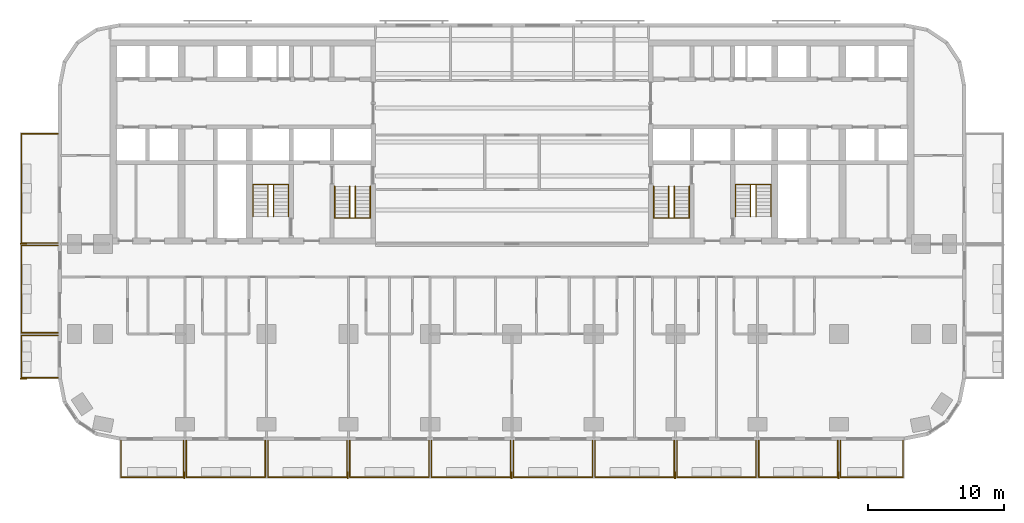
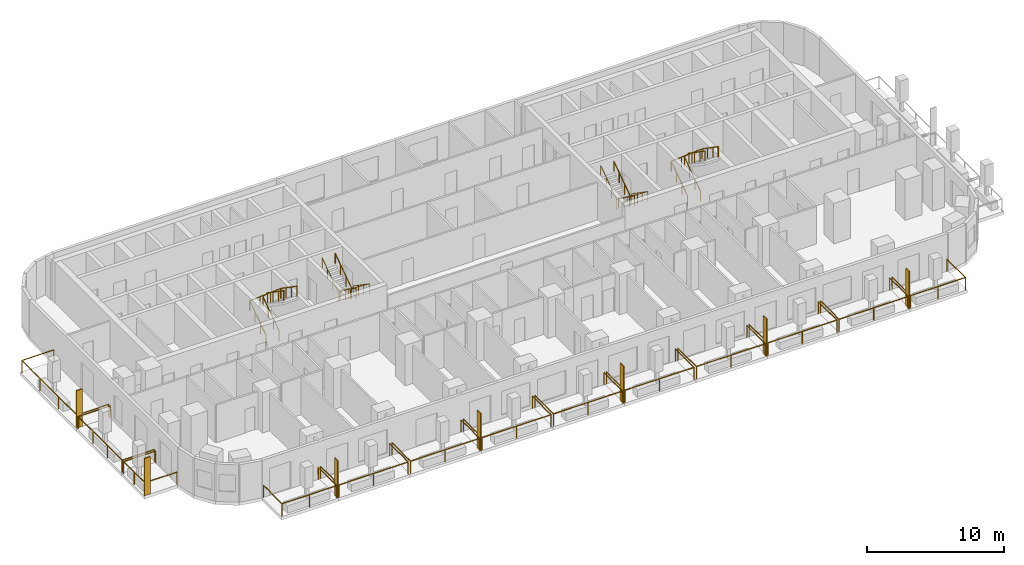
# One storey, part 11 of 13: 21 railings, 7 shading devices.
"""IFC4 building model written with IfcOpenShell, lengths in metres."""

from ifc_helpers import new_model, si_unit, direction, frame, origin, origin_2d, place, context, subcontext, project, spatial, rectangle, circle, extrude, material, layer, layer_set, type_object, element, save


model = new_model("IFC4")

# Units and contexts
model_context = context("Model", 3, precision=1e-05, world=origin(), true_north=direction((0.0, 1.0)))
body_context = subcontext(model_context, "Body", "Model", "MODEL_VIEW")
ifc_project = project(units=[si_unit("LENGTHUNIT", "METRE"), si_unit("AREAUNIT", "SQUARE_METRE"), si_unit("VOLUMEUNIT", "CUBIC_METRE"), si_unit("PLANEANGLEUNIT", "RADIAN"), si_unit("MASSUNIT", "GRAM", prefix="KILO")], contexts=[model_context])

# Site, building, storey
site_placement = place(None, origin())
site = spatial("IfcSite", under=ifc_project, at=site_placement, CompositionType="ELEMENT")
building_placement = place(site_placement, origin())
building = spatial("IfcBuilding", under=site, at=building_placement, Name="Torana Hotel and Residences", CompositionType="ELEMENT")
storey_placement = place(building_placement, frame((0.0, 0.0, 81.60009765625)))
storey = spatial("IfcBuildingStorey", under=building, at=storey_placement, Name="L20", CompositionType="ELEMENT", Elevation=81.60009765625)

# Shading devices
ifc_material_1 = material(Name="Black powder coated aluminium", Category="aluminium")
ifc_layer = layer(ifc_material_1, 0.080078125)
ifc_layer_set = layer_set([ifc_layer], Name="FN1 VERTICAL FIN 500x80")
shading_device_type = type_object("IfcShadingDeviceType", Name="FN1 VERTICAL FIN 500x80", PredefinedType="USERDEFINED", material=ifc_layer_set)
for number, where, z_axis, x_axis, name in (
    (1, (-24.0400390625, -31.949951171875, 0.0), (0.0, 0.0, 1.0), (-1.0, 0.0, 0.0), "Fin 01"),
    (2, (-12.0400390625, -31.949951171875, 0.0), (0.0, 0.0, 1.0), (-1.0, 0.0, 0.0), "Fin 03"),
    (3, (-0.0400390625, -31.949951171875, 0.0), (0.0, 0.0, 1.0), (-1.0, 0.0, 0.0), "Fin 05"),
    (4, (11.9599609375, -31.949951171875, 0.0), (0.0, 0.0, 1.0), (-1.0, 0.0, 0.0), "Fin 07"),
    (5, (23.9599609375, -31.949951171875, 0.0), (0.0, 0.0, 1.0), (-1.0, 0.0, 0.0), "Fin 09"),
    (6, (-35.85009765625, -24.860107421875, 0.0), (0.0, 0.0, 1.0), (0.0, 1.0, 0.0), "Fin 11"),
    (7, (-35.85009765625, -14.9599609375, 0.0), (0.0, 0.0, 1.0), (0.0, 1.0, 0.0), "Fin 13"),
):
    element("IfcShadingDevice", number, at=place(storey_placement, frame(where, z_axis=z_axis, x_axis=x_axis)), inside=storey, type_object=shading_device_type, Name=name, ObjectType="FIN", PredefinedType="USERDEFINED", context=body_context, shape_type="SweptSolid", body=[
        extrude(rectangle(XDim=0.080078125, YDim=0.5, at=origin_2d()), origin(), (0.0, 0.0, 1.0), 3.320068359375),
    ])

# Railings
ifc_material_2 = material(Name="Laminated glass balustrade with black handrail", Category="glass")
railing_type_1 = type_object("IfcRailingType", Name="GR1 BALCONY GUARD 1100 GLASS", PredefinedType="GUARDRAIL", material=ifc_material_2)
railing_1_placement = place(storey_placement, frame((-24.10009765625, -29.39990234375, 0.0)))
element("IfcRailing", 8, at=railing_1_placement, inside=storey, type_object=railing_type_1, Name="Balcony guard 01", PredefinedType="GUARDRAIL", context=body_context, shape_type="SweptSolid", body=[
    extrude(circle(Radius=0.02392578125, at=origin_2d()), frame((0.0, 0.0, 1.076171875), z_axis=(0.0, -1.0, 0.0), x_axis=(1.0, 0.0, 0.0)), (0.0, 0.0, 1.0), 2.7001953125),
    extrude(circle(Radius=0.02392578125, at=origin_2d()), frame((0.0, -2.7001953125, 1.076171875), z_axis=(-1.0, 0.0, 0.0), x_axis=(0.0, -1.0, 0.0)), (0.0, 0.0, 1.0), 4.599853515625),
    extrude(circle(Radius=0.02392578125, at=origin_2d()), frame((-4.599853515625, -2.7001953125, 1.076171875), z_axis=(0.0, 1.0, 0.0), x_axis=(-1.0, 0.0, 0.0)), (0.0, 0.0, 1.0), 2.7001953125),
    extrude(circle(Radius=0.02099609375, at=origin_2d()), origin(), (0.0, 0.0, 1.0), 1.052001953125),
    extrude(circle(Radius=0.02099609375, at=origin_2d()), frame((0.0, -2.7001953125, 0.0)), (0.0, 0.0, 1.0), 1.052001953125),
    extrude(circle(Radius=0.02099609375, at=origin_2d()), frame((-2.2998046875, -2.7001953125, 0.0)), (0.0, 0.0, 1.0), 1.052001953125),
    extrude(circle(Radius=0.02099609375, at=origin_2d()), frame((-4.599853515625, -2.7001953125, 0.0)), (0.0, 0.0, 1.0), 1.052001953125),
    extrude(circle(Radius=0.02099609375, at=origin_2d()), frame((-4.599853515625, 0.0, 0.0)), (0.0, 0.0, 1.0), 1.052001953125),
])
for number, where, name in (
    (9, (-18.10009765625, -29.39990234375, 0.0), "Balcony guard 02"),
    (10, (-12.10009765625, -29.39990234375, 0.0), "Balcony guard 03"),
    (11, (-6.10009765625, -29.39990234375, 0.0), "Balcony guard 04"),
    (12, (-0.10009765625, -29.39990234375, 0.0), "Balcony guard 05"),
    (13, (5.89990234375, -29.39990234375, 0.0), "Balcony guard 06"),
    (14, (11.89990234375, -29.39990234375, 0.0), "Balcony guard 07"),
    (15, (17.89990234375, -29.39990234375, 0.0), "Balcony guard 08"),
    (16, (23.89990234375, -29.39990234375, 0.0), "Balcony guard 09"),
):
    element("IfcRailing", number, at=place(storey_placement, frame(where)), inside=storey, type_object=railing_type_1, Name=name, PredefinedType="GUARDRAIL", context=body_context, shape_type="SweptSolid", body=[
        extrude(circle(Radius=0.02392578125, at=origin_2d()), frame((0.0, 0.0, 1.076171875), z_axis=(0.0, -1.0, 0.0), x_axis=(1.0, 0.0, 0.0)), (0.0, 0.0, 1.0), 2.7001953125),
        extrude(circle(Radius=0.02392578125, at=origin_2d()), frame((0.0, -2.7001953125, 1.076171875), z_axis=(-1.0, 0.0, 0.0), x_axis=(0.0, -1.0, 0.0)), (0.0, 0.0, 1.0), 5.7998046875),
        extrude(circle(Radius=0.02392578125, at=origin_2d()), frame((-5.7998046875, -2.7001953125, 1.076171875), z_axis=(0.0, 1.0, 0.0), x_axis=(-1.0, 0.0, 0.0)), (0.0, 0.0, 1.0), 2.7001953125),
        extrude(circle(Radius=0.02099609375, at=origin_2d()), origin(), (0.0, 0.0, 1.0), 1.052001953125),
        extrude(circle(Radius=0.02099609375, at=origin_2d()), frame((0.0, -2.7001953125, 0.0)), (0.0, 0.0, 1.0), 1.052001953125),
        extrude(circle(Radius=0.02099609375, at=origin_2d()), frame((-2.89990234375, -2.7001953125, 0.0)), (0.0, 0.0, 1.0), 1.052001953125),
        extrude(circle(Radius=0.02099609375, at=origin_2d()), frame((-5.7998046875, -2.7001953125, 0.0)), (0.0, 0.0, 1.0), 1.052001953125),
        extrude(circle(Radius=0.02099609375, at=origin_2d()), frame((-5.7998046875, 0.0, 0.0)), (0.0, 0.0, 1.0), 1.052001953125),
    ])
railing_2_placement = place(storey_placement, frame((28.699951171875, -29.39990234375, 0.0)))
element("IfcRailing", 17, at=railing_2_placement, inside=storey, type_object=railing_type_1, Name="Balcony guard 10", PredefinedType="GUARDRAIL", context=body_context, shape_type="SweptSolid", body=[
    extrude(circle(Radius=0.02392578125, at=origin_2d()), frame((0.0, 0.0, 1.076171875), z_axis=(0.0, -1.0, 0.0), x_axis=(1.0, 0.0, 0.0)), (0.0, 0.0, 1.0), 2.7001953125),
    extrude(circle(Radius=0.02392578125, at=origin_2d()), frame((0.0, -2.7001953125, 1.076171875), z_axis=(-1.0, 0.0, 0.0), x_axis=(0.0, -1.0, 0.0)), (0.0, 0.0, 1.0), 4.599853515625),
    extrude(circle(Radius=0.02392578125, at=origin_2d()), frame((-4.599853515625, -2.7001953125, 1.076171875), z_axis=(0.0, 1.0, 0.0), x_axis=(-1.0, 0.0, 0.0)), (0.0, 0.0, 1.0), 2.7001953125),
    extrude(circle(Radius=0.02099609375, at=origin_2d()), origin(), (0.0, 0.0, 1.0), 1.052001953125),
    extrude(circle(Radius=0.02099609375, at=origin_2d()), frame((0.0, -2.7001953125, 0.0)), (0.0, 0.0, 1.0), 1.052001953125),
    extrude(circle(Radius=0.02099609375, at=origin_2d()), frame((-2.2998046875, -2.7001953125, 0.0)), (0.0, 0.0, 1.0), 1.052001953125),
    extrude(circle(Radius=0.02099609375, at=origin_2d()), frame((-4.599853515625, -2.7001953125, 0.0)), (0.0, 0.0, 1.0), 1.052001953125),
    extrude(circle(Radius=0.02099609375, at=origin_2d()), frame((-4.599853515625, 0.0, 0.0)), (0.0, 0.0, 1.0), 1.052001953125),
])
railing_3_placement = place(storey_placement, frame((-33.300048828125, -24.800048828125, 0.0)))
element("IfcRailing", 18, at=railing_3_placement, inside=storey, type_object=railing_type_1, Name="Balcony guard 11", PredefinedType="GUARDRAIL", context=body_context, shape_type="SweptSolid", body=[
    extrude(circle(Radius=0.02392578125, at=origin_2d()), frame((0.0, 0.0, 1.076171875), z_axis=(-1.0, 0.0, 0.0), x_axis=(0.0, -1.0, 0.0)), (0.0, 0.0, 1.0), 2.699951171875),
    extrude(circle(Radius=0.02392578125, at=origin_2d()), frame((-2.699951171875, 0.0, 1.076171875), z_axis=(0.0, 1.0, 0.0), x_axis=(-1.0, 0.0, 0.0)), (0.0, 0.0, 1.0), 3.10009765625),
    extrude(circle(Radius=0.02392578125, at=origin_2d()), frame((-2.699951171875, 3.10009765625, 1.076171875), z_axis=(1.0, 0.0, 0.0), x_axis=(0.0, 1.0, 0.0)), (0.0, 0.0, 1.0), 2.699951171875),
    extrude(circle(Radius=0.02099609375, at=origin_2d()), origin(), (0.0, 0.0, 1.0), 1.052001953125),
    extrude(circle(Radius=0.02099609375, at=origin_2d()), frame((-2.699951171875, 0.0, 0.0)), (0.0, 0.0, 1.0), 1.052001953125),
    extrude(circle(Radius=0.02099609375, at=origin_2d()), frame((-2.699951171875, 1.550048828125, 0.0)), (0.0, 0.0, 1.0), 1.052001953125),
    extrude(circle(Radius=0.02099609375, at=origin_2d()), frame((-2.699951171875, 3.10009765625, 0.0)), (0.0, 0.0, 1.0), 1.052001953125),
    extrude(circle(Radius=0.02099609375, at=origin_2d()), frame((0.0, 3.10009765625, 0.0)), (0.0, 0.0, 1.0), 1.052001953125),
])
railing_4_placement = place(storey_placement, frame((-33.300048828125, -21.5, 0.0)))
element("IfcRailing", 19, at=railing_4_placement, inside=storey, type_object=railing_type_1, Name="Balcony guard 12", PredefinedType="GUARDRAIL", context=body_context, shape_type="SweptSolid", body=[
    extrude(circle(Radius=0.02392578125, at=origin_2d()), frame((0.0, 0.0, 1.076171875), z_axis=(-1.0, 0.0, 0.0), x_axis=(0.0, -1.0, 0.0)), (0.0, 0.0, 1.0), 2.699951171875),
    extrude(circle(Radius=0.02392578125, at=origin_2d()), frame((-2.699951171875, 0.0, 1.076171875), z_axis=(0.0, 1.0, 0.0), x_axis=(-1.0, 0.0, 0.0)), (0.0, 0.0, 1.0), 6.39990234375),
    extrude(circle(Radius=0.02392578125, at=origin_2d()), frame((-2.699951171875, 6.39990234375, 1.076171875), z_axis=(1.0, 0.0, 0.0), x_axis=(0.0, 1.0, 0.0)), (0.0, 0.0, 1.0), 2.699951171875),
    extrude(circle(Radius=0.02099609375, at=origin_2d()), origin(), (0.0, 0.0, 1.0), 1.052001953125),
    extrude(circle(Radius=0.02099609375, at=origin_2d()), frame((-2.699951171875, 0.0, 0.0)), (0.0, 0.0, 1.0), 1.052001953125),
    extrude(circle(Radius=0.02099609375, at=origin_2d()), frame((-2.699951171875, 2.13330078125, 0.0)), (0.0, 0.0, 1.0), 1.052001953125),
    extrude(circle(Radius=0.02099609375, at=origin_2d()), frame((-2.699951171875, 4.2666015625, 0.0)), (0.0, 0.0, 1.0), 1.052001953125),
    extrude(circle(Radius=0.02099609375, at=origin_2d()), frame((-2.699951171875, 6.39990234375, 0.0)), (0.0, 0.0, 1.0), 1.052001953125),
    extrude(circle(Radius=0.02099609375, at=origin_2d()), frame((0.0, 6.39990234375, 0.0)), (0.0, 0.0, 1.0), 1.052001953125),
])
railing_5_placement = place(storey_placement, frame((-33.300048828125, -14.89990234375, 0.0)))
element("IfcRailing", 20, at=railing_5_placement, inside=storey, type_object=railing_type_1, Name="Balcony guard 13", PredefinedType="GUARDRAIL", context=body_context, shape_type="SweptSolid", body=[
    extrude(circle(Radius=0.02392578125, at=origin_2d()), frame((0.0, 0.0, 1.076171875), z_axis=(-1.0, 0.0, 0.0), x_axis=(0.0, -1.0, 0.0)), (0.0, 0.0, 1.0), 2.699951171875),
    extrude(circle(Radius=0.02392578125, at=origin_2d()), frame((-2.699951171875, 0.0, 1.076171875), z_axis=(0.0, 1.0, 0.0), x_axis=(-1.0, 0.0, 0.0)), (0.0, 0.0, 1.0), 8.0),
    extrude(circle(Radius=0.02392578125, at=origin_2d()), frame((-2.699951171875, 8.0, 1.076171875), z_axis=(1.0, 0.0, 0.0), x_axis=(0.0, 1.0, 0.0)), (0.0, 0.0, 1.0), 2.699951171875),
    extrude(circle(Radius=0.02099609375, at=origin_2d()), origin(), (0.0, 0.0, 1.0), 1.052001953125),
    extrude(circle(Radius=0.02099609375, at=origin_2d()), frame((-2.699951171875, 0.0, 0.0)), (0.0, 0.0, 1.0), 1.052001953125),
    extrude(circle(Radius=0.02099609375, at=origin_2d()), frame((-2.699951171875, 2.666748046875, 0.0)), (0.0, 0.0, 1.0), 1.052001953125),
    extrude(circle(Radius=0.02099609375, at=origin_2d()), frame((-2.699951171875, 5.333251953125, 0.0)), (0.0, 0.0, 1.0), 1.052001953125),
    extrude(circle(Radius=0.02099609375, at=origin_2d()), frame((-2.699951171875, 8.0, 0.0)), (0.0, 0.0, 1.0), 1.052001953125),
    extrude(circle(Radius=0.02099609375, at=origin_2d()), frame((0.0, 8.0, 0.0)), (0.0, 0.0, 1.0), 1.052001953125),
])
ifc_material_3 = material(Name="Stainless steel 316", Category="steel")
railing_type_2 = type_object("IfcRailingType", Name="STAIR HANDRAIL HR1 900", PredefinedType="HANDRAIL", material=ifc_material_3)
railing_6_placement = place(storey_placement, frame((-10.39990234375, -10.75, 0.179931640625)))
element("IfcRailing", 21, at=railing_6_placement, inside=storey, type_object=railing_type_2, Name="Handrail ST1 L20 O1", PredefinedType="HANDRAIL", context=body_context, shape_type="SweptSolid", body=[
    extrude(circle(Radius=0.02392578125, at=origin_2d()), frame((0.0, 0.0, 0.8759765625), z_axis=(0.0, -0.822223072051, 0.569165371211), x_axis=(1.0, 0.0, 0.0)), (0.0, 0.0, 1.0), 2.845947265625),
    extrude(circle(Radius=0.02392578125, at=origin_2d()), frame((0.0, -2.340087890625, 2.49560546875), z_axis=(-0.997607660209, 0.0, 0.069129995609), x_axis=(0.0, -1.0, 0.0)), (0.0, 0.0, 1.0), 2.6064453125),
    extrude(circle(Radius=0.02392578125, at=origin_2d()), frame((-2.60009765625, -2.340087890625, 2.67578125), z_axis=(0.0, 0.822223072051, 0.569165371211), x_axis=(-1.0, 0.0, 0.0)), (0.0, 0.0, 1.0), 2.845947265625),
    extrude(circle(Radius=0.02099609375, at=origin_2d()), origin(), (0.0, 0.0, 1.0), 0.851806640625),
    extrude(circle(Radius=0.02099609375, at=origin_2d()), frame((0.0, -0.780029296875, 0.5400390625)), (0.0, 0.0, 1.0), 0.851806640625),
    extrude(circle(Radius=0.02099609375, at=origin_2d()), frame((0.0, -1.56005859375, 1.079833984375)), (0.0, 0.0, 1.0), 0.851806640625),
    extrude(circle(Radius=0.02099609375, at=origin_2d()), frame((0.0, -2.340087890625, 1.619873046875)), (0.0, 0.0, 1.0), 0.851806640625),
    extrude(circle(Radius=0.02099609375, at=origin_2d()), frame((-0.86669921875, -2.340087890625, 1.679931640625)), (0.0, 0.0, 1.0), 0.851806640625),
    extrude(circle(Radius=0.02099609375, at=origin_2d()), frame((-1.7333984375, -2.340087890625, 1.739990234375)), (0.0, 0.0, 1.0), 0.851806640625),
    extrude(circle(Radius=0.02099609375, at=origin_2d()), frame((-2.60009765625, -2.340087890625, 1.800048828125)), (0.0, 0.0, 1.0), 0.851806640625),
    extrude(circle(Radius=0.02099609375, at=origin_2d()), frame((-2.60009765625, -1.56005859375, 2.340087890625)), (0.0, 0.0, 1.0), 0.851806640625),
    extrude(circle(Radius=0.02099609375, at=origin_2d()), frame((-2.60009765625, -0.780029296875, 2.8798828125)), (0.0, 0.0, 1.0), 0.851806640625),
    extrude(circle(Radius=0.02099609375, at=origin_2d()), frame((-2.60009765625, 0.0, 3.419921875)), (0.0, 0.0, 1.0), 0.851806640625),
])
railing_7_placement = place(storey_placement, frame((-11.5, -10.75, 0.179931640625)))
element("IfcRailing", 22, at=railing_7_placement, inside=storey, type_object=railing_type_2, Name="Handrail ST1 L20 I1", PredefinedType="HANDRAIL", context=body_context, shape_type="SweptSolid", body=[
    extrude(circle(Radius=0.02392578125, at=origin_2d()), frame((0.0, 0.0, 0.8759765625), z_axis=(0.0, -0.822223072051, 0.569165371211), x_axis=(1.0, 0.0, 0.0)), (0.0, 0.0, 1.0), 2.845947265625),
    extrude(circle(Radius=0.02392578125, at=origin_2d()), frame((0.0, -2.340087890625, 2.49560546875), z_axis=(-0.911733943306, 0.0, 0.410781227204), x_axis=(0.0, -1.0, 0.0)), (0.0, 0.0, 1.0), 0.438720703125),
    extrude(circle(Radius=0.02392578125, at=origin_2d()), frame((-0.39990234375, -2.340087890625, 2.67578125), z_axis=(0.0, 0.822223072051, 0.569165371211), x_axis=(-1.0, 0.0, 0.0)), (0.0, 0.0, 1.0), 2.845947265625),
    extrude(circle(Radius=0.02099609375, at=origin_2d()), origin(), (0.0, 0.0, 1.0), 0.851806640625),
    extrude(circle(Radius=0.02099609375, at=origin_2d()), frame((0.0, -0.780029296875, 0.5400390625)), (0.0, 0.0, 1.0), 0.851806640625),
    extrude(circle(Radius=0.02099609375, at=origin_2d()), frame((0.0, -1.56005859375, 1.079833984375)), (0.0, 0.0, 1.0), 0.851806640625),
    extrude(circle(Radius=0.02099609375, at=origin_2d()), frame((0.0, -2.340087890625, 1.619873046875)), (0.0, 0.0, 1.0), 0.851806640625),
    extrude(circle(Radius=0.02099609375, at=origin_2d()), frame((-0.39990234375, -2.340087890625, 1.800048828125)), (0.0, 0.0, 1.0), 0.851806640625),
    extrude(circle(Radius=0.02099609375, at=origin_2d()), frame((-0.39990234375, -1.56005859375, 2.340087890625)), (0.0, 0.0, 1.0), 0.851806640625),
    extrude(circle(Radius=0.02099609375, at=origin_2d()), frame((-0.39990234375, -0.780029296875, 2.8798828125)), (0.0, 0.0, 1.0), 0.851806640625),
    extrude(circle(Radius=0.02099609375, at=origin_2d()), frame((-0.39990234375, 0.0, 3.419921875)), (0.0, 0.0, 1.0), 0.851806640625),
])
railing_8_placement = place(storey_placement, frame((-19.0, -12.949951171875, 0.179931640625)))
element("IfcRailing", 23, at=railing_8_placement, inside=storey, type_object=railing_type_2, Name="Handrail ST2 L20 O1", PredefinedType="HANDRAIL", context=body_context, shape_type="SweptSolid", body=[
    extrude(circle(Radius=0.02392578125, at=origin_2d()), frame((0.0, 0.0, 0.8759765625), z_axis=(0.0, 0.822195280011, 0.569205517829), x_axis=(-1.0, 0.0, 0.0)), (0.0, 0.0, 1.0), 2.845947265625),
    extrude(circle(Radius=0.02392578125, at=origin_2d()), frame((0.0, 2.33984375, 2.49560546875), z_axis=(0.997607660209, 0.0, 0.069129995609), x_axis=(0.0, 1.0, 0.0)), (0.0, 0.0, 1.0), 2.6064453125),
    extrude(circle(Radius=0.02392578125, at=origin_2d()), frame((2.60009765625, 2.33984375, 2.67578125), z_axis=(0.0, -0.822195280011, 0.569205517829), x_axis=(1.0, 0.0, 0.0)), (0.0, 0.0, 1.0), 2.845947265625),
    extrude(circle(Radius=0.02099609375, at=origin_2d()), origin(), (0.0, 0.0, 1.0), 0.851806640625),
    extrude(circle(Radius=0.02099609375, at=origin_2d()), frame((0.0, 0.780029296875, 0.5400390625)), (0.0, 0.0, 1.0), 0.851806640625),
    extrude(circle(Radius=0.02099609375, at=origin_2d()), frame((0.0, 1.559814453125, 1.079833984375)), (0.0, 0.0, 1.0), 0.851806640625),
    extrude(circle(Radius=0.02099609375, at=origin_2d()), frame((0.0, 2.33984375, 1.619873046875)), (0.0, 0.0, 1.0), 0.851806640625),
    extrude(circle(Radius=0.02099609375, at=origin_2d()), frame((0.86669921875, 2.33984375, 1.679931640625)), (0.0, 0.0, 1.0), 0.851806640625),
    extrude(circle(Radius=0.02099609375, at=origin_2d()), frame((1.7333984375, 2.33984375, 1.739990234375)), (0.0, 0.0, 1.0), 0.851806640625),
    extrude(circle(Radius=0.02099609375, at=origin_2d()), frame((2.60009765625, 2.33984375, 1.800048828125)), (0.0, 0.0, 1.0), 0.851806640625),
    extrude(circle(Radius=0.02099609375, at=origin_2d()), frame((2.60009765625, 1.559814453125, 2.340087890625)), (0.0, 0.0, 1.0), 0.851806640625),
    extrude(circle(Radius=0.02099609375, at=origin_2d()), frame((2.60009765625, 0.780029296875, 2.8798828125)), (0.0, 0.0, 1.0), 0.851806640625),
    extrude(circle(Radius=0.02099609375, at=origin_2d()), frame((2.60009765625, 0.0, 3.419921875)), (0.0, 0.0, 1.0), 0.851806640625),
])
railing_9_placement = place(storey_placement, frame((-17.89990234375, -12.949951171875, 0.179931640625)))
element("IfcRailing", 24, at=railing_9_placement, inside=storey, type_object=railing_type_2, Name="Handrail ST2 L20 I1", PredefinedType="HANDRAIL", context=body_context, shape_type="SweptSolid", body=[
    extrude(circle(Radius=0.02392578125, at=origin_2d()), frame((0.0, 0.0, 0.8759765625), z_axis=(0.0, 0.822195280011, 0.569205517829), x_axis=(-1.0, 0.0, 0.0)), (0.0, 0.0, 1.0), 2.845947265625),
    extrude(circle(Radius=0.02392578125, at=origin_2d()), frame((0.0, 2.33984375, 2.49560546875), z_axis=(0.911733943306, 0.0, 0.410781227204), x_axis=(0.0, 1.0, 0.0)), (0.0, 0.0, 1.0), 0.438720703125),
    extrude(circle(Radius=0.02392578125, at=origin_2d()), frame((0.39990234375, 2.33984375, 2.67578125), z_axis=(0.0, -0.822195280011, 0.569205517829), x_axis=(1.0, 0.0, 0.0)), (0.0, 0.0, 1.0), 2.845947265625),
    extrude(circle(Radius=0.02099609375, at=origin_2d()), origin(), (0.0, 0.0, 1.0), 0.851806640625),
    extrude(circle(Radius=0.02099609375, at=origin_2d()), frame((0.0, 0.780029296875, 0.5400390625)), (0.0, 0.0, 1.0), 0.851806640625),
    extrude(circle(Radius=0.02099609375, at=origin_2d()), frame((0.0, 1.559814453125, 1.079833984375)), (0.0, 0.0, 1.0), 0.851806640625),
    extrude(circle(Radius=0.02099609375, at=origin_2d()), frame((0.0, 2.33984375, 1.619873046875)), (0.0, 0.0, 1.0), 0.851806640625),
    extrude(circle(Radius=0.02099609375, at=origin_2d()), frame((0.39990234375, 2.33984375, 1.800048828125)), (0.0, 0.0, 1.0), 0.851806640625),
    extrude(circle(Radius=0.02099609375, at=origin_2d()), frame((0.39990234375, 1.559814453125, 2.340087890625)), (0.0, 0.0, 1.0), 0.851806640625),
    extrude(circle(Radius=0.02099609375, at=origin_2d()), frame((0.39990234375, 0.780029296875, 2.8798828125)), (0.0, 0.0, 1.0), 0.851806640625),
    extrude(circle(Radius=0.02099609375, at=origin_2d()), frame((0.39990234375, 0.0, 3.419921875)), (0.0, 0.0, 1.0), 0.851806640625),
])
railing_10_placement = place(storey_placement, frame((13.0, -10.75, 0.179931640625)))
element("IfcRailing", 25, at=railing_10_placement, inside=storey, type_object=railing_type_2, Name="Handrail ST3 L20 O1", PredefinedType="HANDRAIL", context=body_context, shape_type="SweptSolid", body=[
    extrude(circle(Radius=0.02392578125, at=origin_2d()), frame((0.0, 0.0, 0.8759765625), z_axis=(0.0, -0.822223072051, 0.569165371211), x_axis=(1.0, 0.0, 0.0)), (0.0, 0.0, 1.0), 2.845947265625),
    extrude(circle(Radius=0.02392578125, at=origin_2d()), frame((0.0, -2.340087890625, 2.49560546875), z_axis=(-0.997607660209, 0.0, 0.069129995609), x_axis=(0.0, -1.0, 0.0)), (0.0, 0.0, 1.0), 2.6064453125),
    extrude(circle(Radius=0.02392578125, at=origin_2d()), frame((-2.60009765625, -2.340087890625, 2.67578125), z_axis=(0.0, 0.822223072051, 0.569165371211), x_axis=(-1.0, 0.0, 0.0)), (0.0, 0.0, 1.0), 2.845947265625),
    extrude(circle(Radius=0.02099609375, at=origin_2d()), origin(), (0.0, 0.0, 1.0), 0.851806640625),
    extrude(circle(Radius=0.02099609375, at=origin_2d()), frame((0.0, -0.780029296875, 0.5400390625)), (0.0, 0.0, 1.0), 0.851806640625),
    extrude(circle(Radius=0.02099609375, at=origin_2d()), frame((0.0, -1.56005859375, 1.079833984375)), (0.0, 0.0, 1.0), 0.851806640625),
    extrude(circle(Radius=0.02099609375, at=origin_2d()), frame((0.0, -2.340087890625, 1.619873046875)), (0.0, 0.0, 1.0), 0.851806640625),
    extrude(circle(Radius=0.02099609375, at=origin_2d()), frame((-0.86669921875, -2.340087890625, 1.679931640625)), (0.0, 0.0, 1.0), 0.851806640625),
    extrude(circle(Radius=0.02099609375, at=origin_2d()), frame((-1.7333984375, -2.340087890625, 1.739990234375)), (0.0, 0.0, 1.0), 0.851806640625),
    extrude(circle(Radius=0.02099609375, at=origin_2d()), frame((-2.60009765625, -2.340087890625, 1.800048828125)), (0.0, 0.0, 1.0), 0.851806640625),
    extrude(circle(Radius=0.02099609375, at=origin_2d()), frame((-2.60009765625, -1.56005859375, 2.340087890625)), (0.0, 0.0, 1.0), 0.851806640625),
    extrude(circle(Radius=0.02099609375, at=origin_2d()), frame((-2.60009765625, -0.780029296875, 2.8798828125)), (0.0, 0.0, 1.0), 0.851806640625),
    extrude(circle(Radius=0.02099609375, at=origin_2d()), frame((-2.60009765625, 0.0, 3.419921875)), (0.0, 0.0, 1.0), 0.851806640625),
])
railing_11_placement = place(storey_placement, frame((11.89990234375, -10.75, 0.179931640625)))
element("IfcRailing", 26, at=railing_11_placement, inside=storey, type_object=railing_type_2, Name="Handrail ST3 L20 I1", PredefinedType="HANDRAIL", context=body_context, shape_type="SweptSolid", body=[
    extrude(circle(Radius=0.02392578125, at=origin_2d()), frame((0.0, 0.0, 0.8759765625), z_axis=(0.0, -0.822223072051, 0.569165371211), x_axis=(1.0, 0.0, 0.0)), (0.0, 0.0, 1.0), 2.845947265625),
    extrude(circle(Radius=0.02392578125, at=origin_2d()), frame((0.0, -2.340087890625, 2.49560546875), z_axis=(-0.911733943306, 0.0, 0.410781227204), x_axis=(0.0, -1.0, 0.0)), (0.0, 0.0, 1.0), 0.438720703125),
    extrude(circle(Radius=0.02392578125, at=origin_2d()), frame((-0.39990234375, -2.340087890625, 2.67578125), z_axis=(0.0, 0.822223072051, 0.569165371211), x_axis=(-1.0, 0.0, 0.0)), (0.0, 0.0, 1.0), 2.845947265625),
    extrude(circle(Radius=0.02099609375, at=origin_2d()), origin(), (0.0, 0.0, 1.0), 0.851806640625),
    extrude(circle(Radius=0.02099609375, at=origin_2d()), frame((0.0, -0.780029296875, 0.5400390625)), (0.0, 0.0, 1.0), 0.851806640625),
    extrude(circle(Radius=0.02099609375, at=origin_2d()), frame((0.0, -1.56005859375, 1.079833984375)), (0.0, 0.0, 1.0), 0.851806640625),
    extrude(circle(Radius=0.02099609375, at=origin_2d()), frame((0.0, -2.340087890625, 1.619873046875)), (0.0, 0.0, 1.0), 0.851806640625),
    extrude(circle(Radius=0.02099609375, at=origin_2d()), frame((-0.39990234375, -2.340087890625, 1.800048828125)), (0.0, 0.0, 1.0), 0.851806640625),
    extrude(circle(Radius=0.02099609375, at=origin_2d()), frame((-0.39990234375, -1.56005859375, 2.340087890625)), (0.0, 0.0, 1.0), 0.851806640625),
    extrude(circle(Radius=0.02099609375, at=origin_2d()), frame((-0.39990234375, -0.780029296875, 2.8798828125)), (0.0, 0.0, 1.0), 0.851806640625),
    extrude(circle(Radius=0.02099609375, at=origin_2d()), frame((-0.39990234375, 0.0, 3.419921875)), (0.0, 0.0, 1.0), 0.851806640625),
])
railing_12_placement = place(storey_placement, frame((16.39990234375, -12.949951171875, 0.179931640625)))
element("IfcRailing", 27, at=railing_12_placement, inside=storey, type_object=railing_type_2, Name="Handrail ST4 L20 O1", PredefinedType="HANDRAIL", context=body_context, shape_type="SweptSolid", body=[
    extrude(circle(Radius=0.02392578125, at=origin_2d()), frame((0.0, 0.0, 0.8759765625), z_axis=(0.0, 0.822195280011, 0.569205517829), x_axis=(-1.0, 0.0, 0.0)), (0.0, 0.0, 1.0), 2.845947265625),
    extrude(circle(Radius=0.02392578125, at=origin_2d()), frame((0.0, 2.33984375, 2.49560546875), z_axis=(0.997607660209, 0.0, 0.069129995609), x_axis=(0.0, 1.0, 0.0)), (0.0, 0.0, 1.0), 2.6064453125),
    extrude(circle(Radius=0.02392578125, at=origin_2d()), frame((2.60009765625, 2.33984375, 2.67578125), z_axis=(0.0, -0.822195280011, 0.569205517829), x_axis=(1.0, 0.0, 0.0)), (0.0, 0.0, 1.0), 2.845947265625),
    extrude(circle(Radius=0.02099609375, at=origin_2d()), origin(), (0.0, 0.0, 1.0), 0.851806640625),
    extrude(circle(Radius=0.02099609375, at=origin_2d()), frame((0.0, 0.780029296875, 0.5400390625)), (0.0, 0.0, 1.0), 0.851806640625),
    extrude(circle(Radius=0.02099609375, at=origin_2d()), frame((0.0, 1.559814453125, 1.079833984375)), (0.0, 0.0, 1.0), 0.851806640625),
    extrude(circle(Radius=0.02099609375, at=origin_2d()), frame((0.0, 2.33984375, 1.619873046875)), (0.0, 0.0, 1.0), 0.851806640625),
    extrude(circle(Radius=0.02099609375, at=origin_2d()), frame((0.86669921875, 2.33984375, 1.679931640625)), (0.0, 0.0, 1.0), 0.851806640625),
    extrude(circle(Radius=0.02099609375, at=origin_2d()), frame((1.7333984375, 2.33984375, 1.739990234375)), (0.0, 0.0, 1.0), 0.851806640625),
    extrude(circle(Radius=0.02099609375, at=origin_2d()), frame((2.60009765625, 2.33984375, 1.800048828125)), (0.0, 0.0, 1.0), 0.851806640625),
    extrude(circle(Radius=0.02099609375, at=origin_2d()), frame((2.60009765625, 1.559814453125, 2.340087890625)), (0.0, 0.0, 1.0), 0.851806640625),
    extrude(circle(Radius=0.02099609375, at=origin_2d()), frame((2.60009765625, 0.780029296875, 2.8798828125)), (0.0, 0.0, 1.0), 0.851806640625),
    extrude(circle(Radius=0.02099609375, at=origin_2d()), frame((2.60009765625, 0.0, 3.419921875)), (0.0, 0.0, 1.0), 0.851806640625),
])
railing_13_placement = place(storey_placement, frame((17.5, -12.949951171875, 0.179931640625)))
element("IfcRailing", 28, at=railing_13_placement, inside=storey, type_object=railing_type_2, Name="Handrail ST4 L20 I1", PredefinedType="HANDRAIL", context=body_context, shape_type="SweptSolid", body=[
    extrude(circle(Radius=0.02392578125, at=origin_2d()), frame((0.0, 0.0, 0.8759765625), z_axis=(0.0, 0.822195280011, 0.569205517829), x_axis=(-1.0, 0.0, 0.0)), (0.0, 0.0, 1.0), 2.845947265625),
    extrude(circle(Radius=0.02392578125, at=origin_2d()), frame((0.0, 2.33984375, 2.49560546875), z_axis=(0.911733943306, 0.0, 0.410781227204), x_axis=(0.0, 1.0, 0.0)), (0.0, 0.0, 1.0), 0.438720703125),
    extrude(circle(Radius=0.02392578125, at=origin_2d()), frame((0.39990234375, 2.33984375, 2.67578125), z_axis=(0.0, -0.822195280011, 0.569205517829), x_axis=(1.0, 0.0, 0.0)), (0.0, 0.0, 1.0), 2.845947265625),
    extrude(circle(Radius=0.02099609375, at=origin_2d()), origin(), (0.0, 0.0, 1.0), 0.851806640625),
    extrude(circle(Radius=0.02099609375, at=origin_2d()), frame((0.0, 0.780029296875, 0.5400390625)), (0.0, 0.0, 1.0), 0.851806640625),
    extrude(circle(Radius=0.02099609375, at=origin_2d()), frame((0.0, 1.559814453125, 1.079833984375)), (0.0, 0.0, 1.0), 0.851806640625),
    extrude(circle(Radius=0.02099609375, at=origin_2d()), frame((0.0, 2.33984375, 1.619873046875)), (0.0, 0.0, 1.0), 0.851806640625),
    extrude(circle(Radius=0.02099609375, at=origin_2d()), frame((0.39990234375, 2.33984375, 1.800048828125)), (0.0, 0.0, 1.0), 0.851806640625),
    extrude(circle(Radius=0.02099609375, at=origin_2d()), frame((0.39990234375, 1.559814453125, 2.340087890625)), (0.0, 0.0, 1.0), 0.851806640625),
    extrude(circle(Radius=0.02099609375, at=origin_2d()), frame((0.39990234375, 0.780029296875, 2.8798828125)), (0.0, 0.0, 1.0), 0.851806640625),
    extrude(circle(Radius=0.02099609375, at=origin_2d()), frame((0.39990234375, 0.0, 3.419921875)), (0.0, 0.0, 1.0), 0.851806640625),
])

save(model, "model.ifc")
